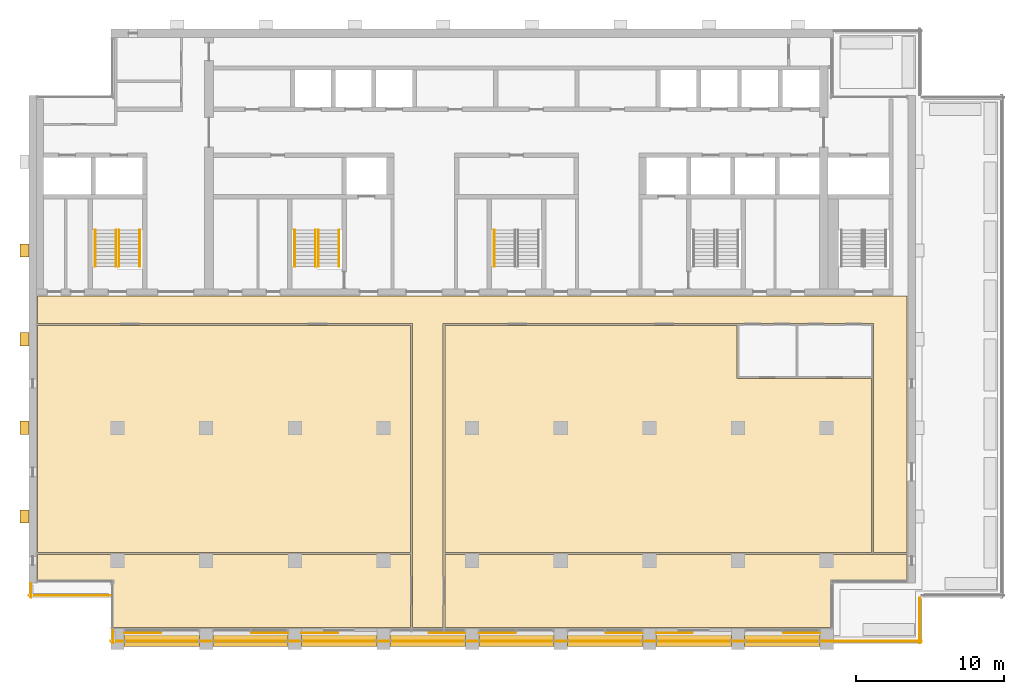
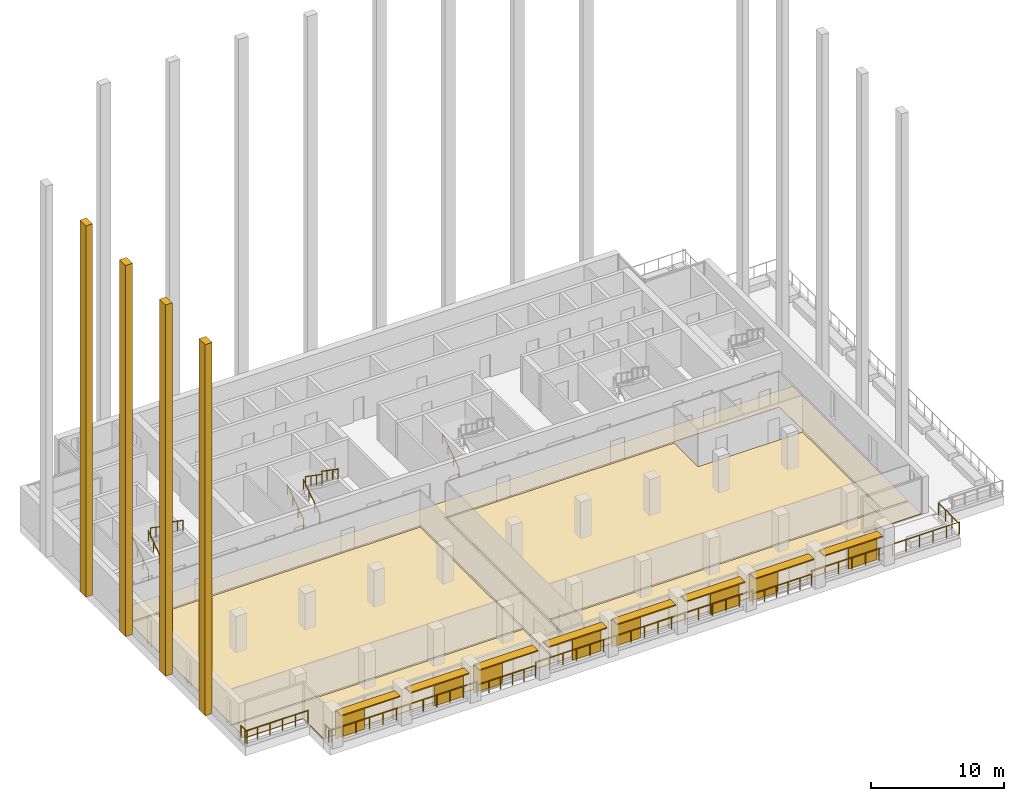
# One storey, part 14 of 16: 18 railings, 16 shading devices, 9 coverings, 3 elements without a shape of their own.
"""IFC4 building model written with IfcOpenShell, lengths in metres."""

import ifcopenshell
import ifcopenshell.guid

model = None  # the IFC model being written
_history = None  # IfcOwnerHistory: only IFC2X3 demands one
_inside = {}  # id of a spatial element -> (the spatial element, [elements in it])
_under = {}  # id of a project, library or spatial element -> (it, [spatial elements below it])
_declared = {}  # id of a project -> (the project, [libraries it declares])
_typed = {}  # id of a type object -> (the type object, [elements of that type])
_made_of = {}  # id of a material, layer set ... -> (it, [elements and type objects made of it])


def new_model(schema):
    """Start an empty IFC model of exactly this schema.

    Asked for "IFC4X3", IfcOpenShell would pick the latest addendum, in which some entities
    have other attributes; the version numbers below select the first issue.
    IFC2X3 requires an IfcOwnerHistory on every rooted entity: one is made here for all.
    """
    global model, _history
    if schema == "IFC4X3":
        model = ifcopenshell.file(schema_version=(4, 3, 0, 0))
    else:
        model = ifcopenshell.file(schema=schema)
    _inside.clear()
    _under.clear()
    _declared.clear()
    _typed.clear()
    _made_of.clear()
    _history = None
    if model.schema == "IFC2X3":
        org = make("IfcOrganization", Name="unknown")
        user = make(
            "IfcPersonAndOrganization",
            ThePerson=make("IfcPerson", FamilyName="unknown"),
            TheOrganization=org,
        )
        app = make(
            "IfcApplication",
            ApplicationDeveloper=org,
            Version="unknown",
            ApplicationFullName="unknown",
            ApplicationIdentifier="unknown",
        )
        _history = make(
            "IfcOwnerHistory",
            OwningUser=user,
            OwningApplication=app,
            ChangeAction="ADDED",
            CreationDate=0,
        )
    return model


def make(cls, **values):
    """One entity of the class cls with the attributes given. An attribute that is None is left unset."""
    return model.create_entity(
        cls, **{name: value for name, value in values.items() if value is not None}
    )


def rooted(cls, **values):
    """An entity with a GlobalId (a new one), such as an element, a storey or a relation."""
    return make(cls, GlobalId=ifcopenshell.guid.new(), OwnerHistory=_history, **values)


def si_unit(unit_type, name, prefix=None):
    """IfcSIUnit, for example si_unit("LENGTHUNIT", "METRE", prefix="MILLI")."""
    return make("IfcSIUnit", UnitType=unit_type, Prefix=prefix, Name=name)


def assignment(units):
    """IfcUnitAssignment: the units of a project."""
    return None if units is None else make("IfcUnitAssignment", Units=units)


def point(xyz):
    """IfcCartesianPoint."""
    return None if xyz is None else make("IfcCartesianPoint", Coordinates=xyz)


def direction(xyz):
    """IfcDirection."""
    return None if xyz is None else make("IfcDirection", DirectionRatios=xyz)


def frame(location, z_axis=None, x_axis=None):
    """IfcAxis2Placement3D, a coordinate frame: its origin and axes. An axis left out is left unset."""
    return make(
        "IfcAxis2Placement3D",
        Location=point(location),
        Axis=direction(z_axis),
        RefDirection=direction(x_axis),
    )


def frame_2d(location, x_axis=None):
    """IfcAxis2Placement2D, a coordinate frame in the plane: its origin and x axis."""
    return make(
        "IfcAxis2Placement2D", Location=point(location), RefDirection=direction(x_axis)
    )


def origin():
    """The frame at (0, 0, 0) with its axes left unset."""
    return frame((0.0, 0.0, 0.0))


def origin_2d():
    """The frame at (0, 0) in the plane with its x axis left unset."""
    return frame_2d((0.0, 0.0))


def place(relative_to, where):
    """IfcLocalPlacement: puts the frame where relative to a parent placement (None: the world)."""
    return make(
        "IfcLocalPlacement", PlacementRelTo=relative_to, RelativePlacement=where
    )


def context(
    kind, dimensions, precision=None, world=None, true_north=None, identifier=None
):
    """IfcGeometricRepresentationContext, for example the 3D "Model" context."""
    return make(
        "IfcGeometricRepresentationContext",
        ContextIdentifier=identifier,
        ContextType=kind,
        CoordinateSpaceDimension=dimensions,
        Precision=precision,
        WorldCoordinateSystem=world,
        TrueNorth=true_north,
    )


def subcontext(parent, identifier, kind, view, scale=None):
    """IfcGeometricRepresentationSubContext, for example "Body" below "Model"."""
    return make(
        "IfcGeometricRepresentationSubContext",
        ContextIdentifier=identifier,
        ContextType=kind,
        ParentContext=parent,
        TargetScale=scale,
        TargetView=view,
    )


def project(units=None, contexts=None):
    """IfcProject with its units and contexts."""
    return rooted(
        "IfcProject",
        Name="project",
        RepresentationContexts=contexts,
        UnitsInContext=assignment(units),
    )


def spatial(cls, under=None, at=None, **own):
    """A site, building, storey or space (cls), placed at a placement, below another one or the project."""
    s = rooted(cls, ObjectPlacement=at, **own)
    if under is not None:
        _under.setdefault(under.id(), (under, []))[1].append(s)
    return s


def polyline(points):
    """IfcPolyline through the points."""
    return make("IfcPolyline", Points=[point(p) for p in points])


def profile(cls, at=None, kind="AREA", **sizes):
    """A parametric profile (cls). Its sizes go by their IFC names, for example OverallWidth=200.0."""
    return make(cls, ProfileType=kind, Position=at, **sizes)


def rectangle(**sizes):
    """IfcRectangleProfileDef."""
    return profile("IfcRectangleProfileDef", **sizes)


def circle(**sizes):
    """IfcCircleProfileDef."""
    return profile("IfcCircleProfileDef", **sizes)


def outline(outer, holes=None, kind="AREA"):
    """IfcArbitraryClosedProfileDef: a profile drawn as a closed curve; with holes, ...WithVoids."""
    if holes is None:
        return make("IfcArbitraryClosedProfileDef", ProfileType=kind, OuterCurve=outer)
    return make(
        "IfcArbitraryProfileDefWithVoids",
        ProfileType=kind,
        OuterCurve=outer,
        InnerCurves=holes,
    )


def extrude(swept, where, along, depth):
    """IfcExtrudedAreaSolid: the profile swept, set in the frame where, extruded along a direction by depth."""
    return make(
        "IfcExtrudedAreaSolid",
        SweptArea=swept,
        Position=where,
        ExtrudedDirection=direction(along),
        Depth=depth,
    )


def shape(context_of_items, identifier, shape_type, items):
    """IfcShapeRepresentation: the items that make up one representation, for example the "Body"."""
    return make(
        "IfcShapeRepresentation",
        ContextOfItems=context_of_items,
        RepresentationIdentifier=identifier,
        RepresentationType=shape_type,
        Items=items,
    )


def material(Name=None, Category=None):
    """IfcMaterial."""
    return make("IfcMaterial", Name=Name, Category=Category)


def layer(
    of_material, thickness, ventilated=None, Name=None, Category=None, Priority=None
):
    """IfcMaterialLayer: one layer of a wall or slab, of a material (None: an air gap)."""
    return make(
        "IfcMaterialLayer",
        Material=of_material,
        LayerThickness=thickness,
        IsVentilated=ventilated,
        Name=Name,
        Category=Category,
        Priority=Priority,
    )


def layer_set(layers, Name=None):
    """IfcMaterialLayerSet."""
    return make("IfcMaterialLayerSet", MaterialLayers=layers, LayerSetName=Name)


def material_profile(
    of_material, cross_section, Name=None, Category=None, Priority=None
):
    """IfcMaterialProfile: a cross section and its material."""
    return make(
        "IfcMaterialProfile",
        Name=Name,
        Material=of_material,
        Profile=cross_section,
        Priority=Priority,
        Category=Category,
    )


def profile_set(profiles, Name=None, composite=None):
    """IfcMaterialProfileSet."""
    return make(
        "IfcMaterialProfileSet",
        Name=Name,
        MaterialProfiles=profiles,
        CompositeProfile=composite,
    )


def made_of(thing, what):
    """Note that an element or type object is made of a material, layer set ...; save() writes the relation."""
    if what is not None:
        _made_of.setdefault(what.id(), (what, []))[1].append(thing)
    return thing


def type_object(cls, material=None, **own):
    """A type object (cls), such as IfcWallType, which elements share."""
    return made_of(rooted(cls, **own), material)


def element(
    cls,
    number,
    at=None,
    inside=None,
    cuts=None,
    type_object=None,
    material=None,
    context=None,
    identifier="Body",
    shape_type=None,
    held_by="IfcProductDefinitionShape",
    body=None,
    shapes=None,
    **own,
):
    """One element of the class cls, such as IfcWall. Its Tag is "e" and its number.

    at: its placement. inside: the storey or other place that contains it. cuts: it is an
    opening in that element (IfcRelVoidsElement). A single representation is given by context,
    identifier, shape_type and body (its items); several are given by shapes. held_by: the class
    of the entity that holds the representations. save() writes the other relations.
    """
    e = rooted(cls, Tag="e%d" % number, ObjectPlacement=at, **own)
    if body is not None:
        shapes = [shape(context, identifier, shape_type, body)]
    if shapes is not None:
        e.Representation = make(held_by, Representations=shapes)
    if inside is not None:
        _inside.setdefault(inside.id(), (inside, []))[1].append(e)
    if cuts is not None:
        rooted(
            "IfcRelVoidsElement", RelatingBuildingElement=cuts, RelatedOpeningElement=e
        )
    if type_object is not None:
        _typed.setdefault(type_object.id(), (type_object, []))[1].append(e)
    return made_of(e, material)


def aggregate(whole, parts):
    """IfcRelAggregates: a whole, such as a stair, and the parts it consists of."""
    return rooted("IfcRelAggregates", RelatingObject=whole, RelatedObjects=parts)


def save(model, path):
    """Write the relations noted so far, then the file.

    IfcRelAggregates (storeys below a building ...), IfcRelContainedInSpatialStructure (elements
    in a storey), IfcRelDefinesByType, IfcRelAssociatesMaterial and IfcRelDeclares: one each for
    every whole, place, type object, material and project.
    """
    for whole, parts in _under.values():
        aggregate(whole, parts)
    for where, things in _inside.values():
        rooted(
            "IfcRelContainedInSpatialStructure",
            RelatedElements=things,
            RelatingStructure=where,
        )
    for kind, things in _typed.values():
        rooted("IfcRelDefinesByType", RelatedObjects=things, RelatingType=kind)
    for what, things in _made_of.values():
        rooted("IfcRelAssociatesMaterial", RelatedObjects=things, RelatingMaterial=what)
    for by, libraries in _declared.values():
        rooted("IfcRelDeclares", RelatingContext=by, RelatedDefinitions=libraries)
    model.write(path)


model = new_model("IFC4")

# Units and contexts
model_context = context("Model", 3, precision=1e-05, world=origin(), true_north=direction((0.0, 1.0)))
body_context = subcontext(model_context, "Body", "Model", "MODEL_VIEW")
ifc_project = project(units=[si_unit("LENGTHUNIT", "METRE"), si_unit("AREAUNIT", "SQUARE_METRE"), si_unit("VOLUMEUNIT", "CUBIC_METRE"), si_unit("PLANEANGLEUNIT", "RADIAN"), si_unit("MASSUNIT", "GRAM", prefix="KILO")], contexts=[model_context])

# Site, building, storey
site_placement = place(None, origin())
site = spatial("IfcSite", under=ifc_project, at=site_placement, CompositionType="ELEMENT")
building_placement = place(site_placement, origin())
building = spatial("IfcBuilding", under=site, at=building_placement, Name="Calvaro Tower", CompositionType="ELEMENT")
storey_placement = place(building_placement, frame((0.0, 0.0, 231.75)))
storey = spatial("IfcBuildingStorey", under=building, at=storey_placement, Name="L58", CompositionType="ELEMENT", Elevation=231.75)

# Shading devices
ifc_material_1 = material(Name="Anodised aluminium", Category="aluminium")
ifc_material_profile = material_profile(ifc_material_1, rectangle(XDim=0.800048828125, YDim=0.10009765625, at=origin_2d()), Name="Brise-soleil blade 800 x 100")
ifc_profile_set = profile_set([ifc_material_profile], Name="Anodised aluminium")
shading_device_type_1 = type_object("IfcShadingDeviceType", Name="Brise-soleil blade 800 x 100", PredefinedType="JALOUSIE", material=ifc_profile_set)
for number, where, z_axis, x_axis, name in (
    (1, (12.449951171875, 4.60009765625, 2.64990234375), (1.0, 0.0, 0.0), (0.0, 1.0, 0.0), "Brise-soleil blade 1"),
    (2, (18.449951171875, 4.60009765625, 2.64990234375), (1.0, 0.0, 0.0), (0.0, 1.0, 0.0), "Brise-soleil blade 2"),
    (3, (24.449951171875, 4.60009765625, 2.64990234375), (1.0, 0.0, 0.0), (0.0, 1.0, 0.0), "Brise-soleil blade 3"),
    (4, (30.449951171875, 4.60009765625, 2.64990234375), (1.0, 0.0, 0.0), (0.0, 1.0, 0.0), "Brise-soleil blade 4"),
    (5, (36.449951171875, 4.60009765625, 2.64990234375), (1.0, 0.0, 0.0), (0.0, 1.0, 0.0), "Brise-soleil blade 5"),
    (6, (42.449951171875, 4.60009765625, 2.64990234375), (1.0, 0.0, 0.0), (0.0, 1.0, 0.0), "Brise-soleil blade 6"),
    (7, (48.449951171875, 4.60009765625, 2.64990234375), (1.0, 0.0, 0.0), (0.0, 1.0, 0.0), "Brise-soleil blade 7"),
    (8, (54.449951171875, 4.60009765625, 2.64990234375), (1.0, 0.0, 0.0), (0.0, 1.0, 0.0), "Brise-soleil blade 8"),
):
    element("IfcShadingDevice", number, at=place(storey_placement, frame(where, z_axis=z_axis, x_axis=x_axis)), inside=storey, type_object=shading_device_type_1, Name=name, PredefinedType="JALOUSIE", context=body_context, shape_type="SweptSolid", body=[
        extrude(rectangle(XDim=0.800048828125, YDim=0.10009765625, at=origin_2d()), origin(), (0.0, 0.0, 1.0), 5.10009765625),
    ])

# Coverings
ifc_material_2 = material(Name="Cement screed with carpet tile finish")
ifc_layer_1 = layer(ifc_material_2, 0.050048828125)
ifc_layer_set_1 = layer_set([ifc_layer_1], Name="Cement screed with carpet tile finish")
covering_type_1 = type_object("IfcCoveringType", Name="Floor finish 50", PredefinedType="FLOORING", material=ifc_layer_set_1)
covering_1_placement = place(storey_placement, origin())
element("IfcCovering", 9, at=covering_1_placement, inside=storey, type_object=covering_type_1, Name="Floor finish 43.01", PredefinedType="FLOORING", context=body_context, shape_type="SweptSolid", body=[
    extrude(outline(polyline([(31.969970703125, 5.469970703125), (31.969970703125, 26.070068359375), (6.570068359375, 26.070068359375), (6.570068359375, 27.929931640625), (65.429931640625, 27.929931640625), (65.429931640625, 10.570068359375), (63.169921875, 10.570068359375), (63.169921875, 26.070068359375), (34.030029296875, 26.070068359375), (34.030029296875, 5.469970703125), (31.969970703125, 5.469970703125)])), origin(), (0.0, 0.0, 1.0), 0.050048828125),
])
covering_2_placement = place(storey_placement, origin())
element("IfcCovering", 10, at=covering_2_placement, inside=storey, type_object=covering_type_1, Name="Floor finish 43.05", PredefinedType="FLOORING", context=body_context, shape_type="SweptSolid", body=[
    extrude(outline(polyline([(31.830078125, 10.570068359375), (6.570068359375, 10.570068359375), (6.570068359375, 25.929931640625), (31.830078125, 25.929931640625), (31.830078125, 10.570068359375)])), origin(), (0.0, 0.0, 1.0), 0.050048828125),
])
covering_3_placement = place(storey_placement, origin())
element("IfcCovering", 11, at=covering_3_placement, inside=storey, type_object=covering_type_1, Name="Floor finish 43.04", PredefinedType="FLOORING", context=body_context, shape_type="SweptSolid", body=[
    extrude(outline(polyline([(34.169921875, 25.929931640625), (53.929931640625, 25.929931640625), (53.929931640625, 22.330078125), (63.030029296875, 22.330078125), (63.030029296875, 10.570068359375), (34.169921875, 10.570068359375), (34.169921875, 25.929931640625)])), origin(), (0.0, 0.0, 1.0), 0.050048828125),
])
covering_4_placement = place(storey_placement, origin())
element("IfcCovering", 12, at=covering_4_placement, inside=storey, type_object=covering_type_1, Name="Floor finish 43.02", PredefinedType="FLOORING", context=body_context, shape_type="SweptSolid", body=[
    extrude(outline(polyline([(11.6201171875, 8.570068359375), (6.570068359375, 8.570068359375), (6.570068359375, 10.429931640625), (31.830078125, 10.429931640625), (31.830078125, 5.469970703125), (11.6201171875, 5.469970703125), (11.6201171875, 8.570068359375)])), origin(), (0.0, 0.0, 1.0), 0.050048828125),
])
covering_5_placement = place(storey_placement, origin())
element("IfcCovering", 13, at=covering_5_placement, inside=storey, type_object=covering_type_1, Name="Floor finish 43.03", PredefinedType="FLOORING", context=body_context, shape_type="SweptSolid", body=[
    extrude(outline(polyline([(34.169921875, 5.469970703125), (34.169921875, 10.429931640625), (65.429931640625, 10.429931640625), (65.429931640625, 8.570068359375), (60.3798828125, 8.570068359375), (60.3798828125, 5.469970703125), (34.169921875, 5.469970703125)])), origin(), (0.0, 0.0, 1.0), 0.050048828125),
])

# Railings
ifc_material_3 = material(Name="Stainless steel", Category="steel")
railing_type_1 = type_object("IfcRailingType", Name="Guard 1100", PredefinedType="GUARDRAIL", material=ifc_material_3)
railing_1_placement = place(storey_placement, frame((11.530029296875, 7.64990234375, 0.300048828125)))
element("IfcRailing", 14, at=railing_1_placement, inside=storey, type_object=railing_type_1, Name="Terrace guard", PredefinedType="GUARDRAIL", context=body_context, shape_type="SweptSolid", body=[
    extrude(circle(Radius=0.02392578125, at=origin_2d()), frame((0.0, 0.0, 1.076171875), z_axis=(-1.0, 0.0, 0.0), x_axis=(0.0, -1.0, 0.0)), (0.0, 0.0, 1.0), 5.530029296875),
    extrude(circle(Radius=0.02099609375, at=origin_2d()), frame((-0.02099609375, 0.0, 0.0)), (0.0, 0.0, 1.0), 1.052001953125),
    extrude(circle(Radius=0.02099609375, at=origin_2d()), frame((-1.10595703125, 0.0, 0.0)), (0.0, 0.0, 1.0), 1.052001953125),
    extrude(circle(Radius=0.02099609375, at=origin_2d()), frame((-2.2119140625, 0.0, 0.0)), (0.0, 0.0, 1.0), 1.052001953125),
    extrude(circle(Radius=0.02099609375, at=origin_2d()), frame((-3.318115234375, 0.0, 0.0)), (0.0, 0.0, 1.0), 1.052001953125),
    extrude(circle(Radius=0.02099609375, at=origin_2d()), frame((-4.424072265625, 0.0, 0.0)), (0.0, 0.0, 1.0), 1.052001953125),
    extrude(circle(Radius=0.02099609375, at=origin_2d()), frame((-5.509033203125, 0.0, 0.0)), (0.0, 0.0, 1.0), 1.052001953125),
])
for number, where, name in (
    (15, (6.14990234375, 7.5, 0.300048828125), "Terrace guard"),
    (16, (11.699951171875, 4.39990234375, 0.300048828125), "Terrace guard"),
):
    element("IfcRailing", number, at=place(storey_placement, frame(where)), inside=storey, type_object=railing_type_1, Name=name, PredefinedType="GUARDRAIL", context=body_context, shape_type="SweptSolid", body=[
        extrude(circle(Radius=0.02392578125, at=origin_2d()), frame((0.0, 0.0, 1.076171875), z_axis=(0.0, 1.0, 0.0), x_axis=(-1.0, 0.0, 0.0)), (0.0, 0.0, 1.0), 0.97998046875),
        extrude(circle(Radius=0.02099609375, at=origin_2d()), frame((0.0, 0.02099609375, 0.0)), (0.0, 0.0, 1.0), 1.052001953125),
        extrude(circle(Radius=0.02099609375, at=origin_2d()), frame((0.0, 0.958984375, 0.0)), (0.0, 0.0, 1.0), 1.052001953125),
    ])
railing_2_placement = place(storey_placement, frame((66.300048828125, 7.5, 0.300048828125)))
element("IfcRailing", 17, at=railing_2_placement, inside=storey, type_object=railing_type_1, Name="Terrace guard", PredefinedType="GUARDRAIL", context=body_context, shape_type="SweptSolid", body=[
    extrude(circle(Radius=0.02392578125, at=origin_2d()), frame((0.0, 0.0, 1.076171875), z_axis=(0.0, -1.0, 0.0), x_axis=(1.0, 0.0, 0.0)), (0.0, 0.0, 1.0), 3.10009765625),
    extrude(circle(Radius=0.02099609375, at=origin_2d()), frame((0.0, -0.02099609375, 0.0)), (0.0, 0.0, 1.0), 1.052001953125),
    extrude(circle(Radius=0.02099609375, at=origin_2d()), frame((0.0, -1.033447265625, 0.0)), (0.0, 0.0, 1.0), 1.052001953125),
    extrude(circle(Radius=0.02099609375, at=origin_2d()), frame((0.0, -2.066650390625, 0.0)), (0.0, 0.0, 1.0), 1.052001953125),
    extrude(circle(Radius=0.02099609375, at=origin_2d()), frame((0.0, -3.0791015625, 0.0)), (0.0, 0.0, 1.0), 1.052001953125),
])
railing_3_placement = place(storey_placement, frame((11.550048828125, 4.550048828125, 0.300048828125)))
element("IfcRailing", 18, at=railing_3_placement, inside=storey, type_object=railing_type_1, Name="Terrace guard", PredefinedType="GUARDRAIL", context=body_context, shape_type="SweptSolid", body=[
    extrude(circle(Radius=0.02392578125, at=origin_2d()), frame((0.0, 0.0, 1.076171875), z_axis=(1.0, 0.0, 0.0), x_axis=(0.0, 1.0, 0.0)), (0.0, 0.0, 1.0), 12.89990234375),
    extrude(circle(Radius=0.02099609375, at=origin_2d()), frame((0.02099609375, 0.0, 0.0)), (0.0, 0.0, 1.0), 1.052001953125),
    extrude(circle(Radius=0.02099609375, at=origin_2d()), frame((1.172607421875, 0.0, 0.0)), (0.0, 0.0, 1.0), 1.052001953125),
    extrude(circle(Radius=0.02099609375, at=origin_2d()), frame((2.345458984375, 0.0, 0.0)), (0.0, 0.0, 1.0), 1.052001953125),
    extrude(circle(Radius=0.02099609375, at=origin_2d()), frame((3.51806640625, 0.0, 0.0)), (0.0, 0.0, 1.0), 1.052001953125),
    extrude(circle(Radius=0.02099609375, at=origin_2d()), frame((4.69091796875, 0.0, 0.0)), (0.0, 0.0, 1.0), 1.052001953125),
    extrude(circle(Radius=0.02099609375, at=origin_2d()), frame((5.863525390625, 0.0, 0.0)), (0.0, 0.0, 1.0), 1.052001953125),
    extrude(circle(Radius=0.02099609375, at=origin_2d()), frame((7.036376953125, 0.0, 0.0)), (0.0, 0.0, 1.0), 1.052001953125),
    extrude(circle(Radius=0.02099609375, at=origin_2d()), frame((8.208984375, 0.0, 0.0)), (0.0, 0.0, 1.0), 1.052001953125),
    extrude(circle(Radius=0.02099609375, at=origin_2d()), frame((9.3818359375, 0.0, 0.0)), (0.0, 0.0, 1.0), 1.052001953125),
    extrude(circle(Radius=0.02099609375, at=origin_2d()), frame((10.554443359375, 0.0, 0.0)), (0.0, 0.0, 1.0), 1.052001953125),
    extrude(circle(Radius=0.02099609375, at=origin_2d()), frame((11.727294921875, 0.0, 0.0)), (0.0, 0.0, 1.0), 1.052001953125),
    extrude(circle(Radius=0.02099609375, at=origin_2d()), frame((12.87890625, 0.0, 0.0)), (0.0, 0.0, 1.0), 1.052001953125),
])
railing_4_placement = place(storey_placement, frame((24.449951171875, 4.550048828125, 0.0)))
element("IfcRailing", 19, at=railing_4_placement, inside=storey, type_object=railing_type_1, Name="Terrace guard", PredefinedType="GUARDRAIL", context=body_context, shape_type="SweptSolid", body=[
    extrude(circle(Radius=0.02392578125, at=origin_2d()), frame((0.0, 0.0, 1.076171875), z_axis=(1.0, 0.0, 0.0), x_axis=(0.0, 1.0, 0.0)), (0.0, 0.0, 1.0), 5.10009765625),
    extrude(circle(Radius=0.02099609375, at=origin_2d()), frame((0.02099609375, 0.0, 0.0)), (0.0, 0.0, 1.0), 1.052001953125),
    extrude(circle(Radius=0.02099609375, at=origin_2d()), frame((1.02001953125, 0.0, 0.0)), (0.0, 0.0, 1.0), 1.052001953125),
    extrude(circle(Radius=0.02099609375, at=origin_2d()), frame((2.0400390625, 0.0, 0.0)), (0.0, 0.0, 1.0), 1.052001953125),
    extrude(circle(Radius=0.02099609375, at=origin_2d()), frame((3.06005859375, 0.0, 0.0)), (0.0, 0.0, 1.0), 1.052001953125),
    extrude(circle(Radius=0.02099609375, at=origin_2d()), frame((4.080078125, 0.0, 0.0)), (0.0, 0.0, 1.0), 1.052001953125),
    extrude(circle(Radius=0.02099609375, at=origin_2d()), frame((5.0791015625, 0.0, 0.0)), (0.0, 0.0, 1.0), 1.052001953125),
])
railing_5_placement = place(storey_placement, frame((29.550048828125, 4.550048828125, 0.300048828125)))
element("IfcRailing", 20, at=railing_5_placement, inside=storey, type_object=railing_type_1, Name="Terrace guard", PredefinedType="GUARDRAIL", context=body_context, shape_type="SweptSolid", body=[
    extrude(circle(Radius=0.02392578125, at=origin_2d()), frame((0.0, 0.0, 1.076171875), z_axis=(1.0, 0.0, 0.0), x_axis=(0.0, 1.0, 0.0)), (0.0, 0.0, 1.0), 18.89990234375),
    extrude(circle(Radius=0.02099609375, at=origin_2d()), frame((0.02099609375, 0.0, 0.0)), (0.0, 0.0, 1.0), 1.052001953125),
    extrude(circle(Radius=0.02099609375, at=origin_2d()), frame((1.18115234375, 0.0, 0.0)), (0.0, 0.0, 1.0), 1.052001953125),
    extrude(circle(Radius=0.02099609375, at=origin_2d()), frame((2.362548828125, 0.0, 0.0)), (0.0, 0.0, 1.0), 1.052001953125),
    extrude(circle(Radius=0.02099609375, at=origin_2d()), frame((3.543701171875, 0.0, 0.0)), (0.0, 0.0, 1.0), 1.052001953125),
    extrude(circle(Radius=0.02099609375, at=origin_2d()), frame((4.72509765625, 0.0, 0.0)), (0.0, 0.0, 1.0), 1.052001953125),
    extrude(circle(Radius=0.02099609375, at=origin_2d()), frame((5.90625, 0.0, 0.0)), (0.0, 0.0, 1.0), 1.052001953125),
    extrude(circle(Radius=0.02099609375, at=origin_2d()), frame((7.08740234375, 0.0, 0.0)), (0.0, 0.0, 1.0), 1.052001953125),
    extrude(circle(Radius=0.02099609375, at=origin_2d()), frame((8.268798828125, 0.0, 0.0)), (0.0, 0.0, 1.0), 1.052001953125),
    extrude(circle(Radius=0.02099609375, at=origin_2d()), frame((9.449951171875, 0.0, 0.0)), (0.0, 0.0, 1.0), 1.052001953125),
    extrude(circle(Radius=0.02099609375, at=origin_2d()), frame((10.631103515625, 0.0, 0.0)), (0.0, 0.0, 1.0), 1.052001953125),
    extrude(circle(Radius=0.02099609375, at=origin_2d()), frame((11.8125, 0.0, 0.0)), (0.0, 0.0, 1.0), 1.052001953125),
    extrude(circle(Radius=0.02099609375, at=origin_2d()), frame((12.99365234375, 0.0, 0.0)), (0.0, 0.0, 1.0), 1.052001953125),
    extrude(circle(Radius=0.02099609375, at=origin_2d()), frame((14.1748046875, 0.0, 0.0)), (0.0, 0.0, 1.0), 1.052001953125),
    extrude(circle(Radius=0.02099609375, at=origin_2d()), frame((15.356201171875, 0.0, 0.0)), (0.0, 0.0, 1.0), 1.052001953125),
    extrude(circle(Radius=0.02099609375, at=origin_2d()), frame((16.537353515625, 0.0, 0.0)), (0.0, 0.0, 1.0), 1.052001953125),
    extrude(circle(Radius=0.02099609375, at=origin_2d()), frame((17.71875, 0.0, 0.0)), (0.0, 0.0, 1.0), 1.052001953125),
    extrude(circle(Radius=0.02099609375, at=origin_2d()), frame((18.87890625, 0.0, 0.0)), (0.0, 0.0, 1.0), 1.052001953125),
])
railing_6_placement = place(storey_placement, frame((48.449951171875, 4.550048828125, 0.0)))
element("IfcRailing", 21, at=railing_6_placement, inside=storey, type_object=railing_type_1, Name="Terrace guard", PredefinedType="GUARDRAIL", context=body_context, shape_type="SweptSolid", body=[
    extrude(circle(Radius=0.02392578125, at=origin_2d()), frame((0.0, 0.0, 1.076171875), z_axis=(1.0, 0.0, 0.0), x_axis=(0.0, 1.0, 0.0)), (0.0, 0.0, 1.0), 5.10009765625),
    extrude(circle(Radius=0.02099609375, at=origin_2d()), frame((0.02099609375, 0.0, 0.0)), (0.0, 0.0, 1.0), 1.052001953125),
    extrude(circle(Radius=0.02099609375, at=origin_2d()), frame((1.02001953125, 0.0, 0.0)), (0.0, 0.0, 1.0), 1.052001953125),
    extrude(circle(Radius=0.02099609375, at=origin_2d()), frame((2.0400390625, 0.0, 0.0)), (0.0, 0.0, 1.0), 1.052001953125),
    extrude(circle(Radius=0.02099609375, at=origin_2d()), frame((3.06005859375, 0.0, 0.0)), (0.0, 0.0, 1.0), 1.052001953125),
    extrude(circle(Radius=0.02099609375, at=origin_2d()), frame((4.080078125, 0.0, 0.0)), (0.0, 0.0, 1.0), 1.052001953125),
    extrude(circle(Radius=0.02099609375, at=origin_2d()), frame((5.0791015625, 0.0, 0.0)), (0.0, 0.0, 1.0), 1.052001953125),
])
railing_7_placement = place(storey_placement, frame((53.550048828125, 4.550048828125, 0.300048828125)))
element("IfcRailing", 22, at=railing_7_placement, inside=storey, type_object=railing_type_1, Name="Terrace guard", PredefinedType="GUARDRAIL", context=body_context, shape_type="SweptSolid", body=[
    extrude(circle(Radius=0.02392578125, at=origin_2d()), frame((0.0, 0.0, 1.076171875), z_axis=(1.0, 0.0, 0.0), x_axis=(0.0, 1.0, 0.0)), (0.0, 0.0, 1.0), 12.89990234375),
    extrude(circle(Radius=0.02099609375, at=origin_2d()), frame((0.02099609375, 0.0, 0.0)), (0.0, 0.0, 1.0), 1.052001953125),
    extrude(circle(Radius=0.02099609375, at=origin_2d()), frame((1.172607421875, 0.0, 0.0)), (0.0, 0.0, 1.0), 1.052001953125),
    extrude(circle(Radius=0.02099609375, at=origin_2d()), frame((2.345458984375, 0.0, 0.0)), (0.0, 0.0, 1.0), 1.052001953125),
    extrude(circle(Radius=0.02099609375, at=origin_2d()), frame((3.51806640625, 0.0, 0.0)), (0.0, 0.0, 1.0), 1.052001953125),
    extrude(circle(Radius=0.02099609375, at=origin_2d()), frame((4.69091796875, 0.0, 0.0)), (0.0, 0.0, 1.0), 1.052001953125),
    extrude(circle(Radius=0.02099609375, at=origin_2d()), frame((5.863525390625, 0.0, 0.0)), (0.0, 0.0, 1.0), 1.052001953125),
    extrude(circle(Radius=0.02099609375, at=origin_2d()), frame((7.036376953125, 0.0, 0.0)), (0.0, 0.0, 1.0), 1.052001953125),
    extrude(circle(Radius=0.02099609375, at=origin_2d()), frame((8.208984375, 0.0, 0.0)), (0.0, 0.0, 1.0), 1.052001953125),
    extrude(circle(Radius=0.02099609375, at=origin_2d()), frame((9.3818359375, 0.0, 0.0)), (0.0, 0.0, 1.0), 1.052001953125),
    extrude(circle(Radius=0.02099609375, at=origin_2d()), frame((10.554443359375, 0.0, 0.0)), (0.0, 0.0, 1.0), 1.052001953125),
    extrude(circle(Radius=0.02099609375, at=origin_2d()), frame((11.727294921875, 0.0, 0.0)), (0.0, 0.0, 1.0), 1.052001953125),
    extrude(circle(Radius=0.02099609375, at=origin_2d()), frame((12.87890625, 0.0, 0.0)), (0.0, 0.0, 1.0), 1.052001953125),
])

# Shading devices
ifc_material_4 = material(Name="Ceramic")
ifc_layer_2 = layer(ifc_material_4, 0.0400390625)
ifc_layer_set_2 = layer_set([ifc_layer_2], Name="Ceramic")
shading_device_type_2 = type_object("IfcShadingDeviceType", Name="Sliding ceramic screen 2500", PredefinedType="SHUTTER", material=ifc_layer_set_2)
for number, where, z_axis, x_axis, name in (
    (23, (13.699951171875, 5.10009765625, 0.0), (0.0, 0.0, 1.0), (1.0, 0.0, 0.0), "Sliding screen 1"),
    (24, (22.300048828125, 5.10009765625, 0.0), (0.0, 0.0, 1.0), (1.0, 0.0, 0.0), "Sliding screen 2"),
    (25, (25.699951171875, 5.10009765625, 0.0), (0.0, 0.0, 1.0), (1.0, 0.0, 0.0), "Sliding screen 3"),
    (26, (34.300048828125, 5.10009765625, 0.0), (0.0, 0.0, 1.0), (1.0, 0.0, 0.0), "Sliding screen 4"),
    (27, (37.699951171875, 5.10009765625, 0.0), (0.0, 0.0, 1.0), (1.0, 0.0, 0.0), "Sliding screen 5"),
    (28, (46.300048828125, 5.10009765625, 0.0), (0.0, 0.0, 1.0), (1.0, 0.0, 0.0), "Sliding screen 6"),
    (29, (49.699951171875, 5.10009765625, 0.0), (0.0, 0.0, 1.0), (1.0, 0.0, 0.0), "Sliding screen 7"),
    (30, (58.300048828125, 5.10009765625, 0.0), (0.0, 0.0, 1.0), (1.0, 0.0, 0.0), "Sliding screen 8"),
):
    element("IfcShadingDevice", number, at=place(storey_placement, frame(where, z_axis=z_axis, x_axis=x_axis)), inside=storey, type_object=shading_device_type_2, Name=name, PredefinedType="SHUTTER", context=body_context, shape_type="SweptSolid", body=[
        extrude(rectangle(XDim=2.5, YDim=0.0400390625, at=origin_2d()), origin(), (0.0, 0.0, 1.0), 2.60009765625),
    ])

# Stair, railings
ifc_material_5 = material(Name="Concrete C40/50", Category="concrete")
stair_type = type_object("IfcStairType", Name="Exit stair 1400 2 flights", PredefinedType="HALF_TURN_STAIR", material=ifc_material_5)
stair_1_placement = place(storey_placement, origin())
stair_1 = element("IfcStair", 31, at=stair_1_placement, inside=storey, type_object=stair_type, Name="Exit stair S1", PredefinedType="HALF_TURN_STAIR")
ifc_material_6 = material(Name="Stainless steel", Category="steel")
railing_type_2 = type_object("IfcRailingType", Name="Stair handrail", PredefinedType="HANDRAIL", material=ifc_material_6)
railing_8_placement = place(storey_placement, frame((11.89990234375, 29.89990234375, 0.172607421875)))
railing_8 = element("IfcRailing", 32, at=railing_8_placement, type_object=railing_type_2, Name="Exit stair 1 handrail", PredefinedType="HANDRAIL", context=body_context, shape_type="SweptSolid", body=[
    extrude(circle(Radius=0.02392578125, at=origin_2d()), frame((0.0, 0.0, 0.8759765625), z_axis=(0.0, 0.822726922227, 0.568436813941), x_axis=(-1.0, 0.0, 0.0)), (0.0, 0.0, 1.0), 3.03857421875),
    extrude(circle(Radius=0.02099609375, at=origin_2d()), frame((0.0, 0.017333984375, 0.011962890625)), (0.0, 0.0, 1.0), 0.851806640625),
    extrude(circle(Radius=0.02099609375, at=origin_2d()), frame((0.0, 0.833251953125, 0.57568359375)), (0.0, 0.0, 1.0), 0.851806640625),
    extrude(circle(Radius=0.02099609375, at=origin_2d()), frame((0.0, 1.666748046875, 1.151611328125)), (0.0, 0.0, 1.0), 0.851806640625),
    extrude(circle(Radius=0.02099609375, at=origin_2d()), frame((0.0, 2.482666015625, 1.71533203125)), (0.0, 0.0, 1.0), 0.851806640625),
])
railing_9_placement = place(storey_placement, frame((10.5, 29.89990234375, 0.172607421875)))
railing_9 = element("IfcRailing", 33, at=railing_9_placement, type_object=railing_type_2, Name="Exit stair 1 handrail", PredefinedType="HANDRAIL", context=body_context, shape_type="SweptSolid", body=[
    extrude(circle(Radius=0.02392578125, at=origin_2d()), frame((0.0, 0.0, 0.8759765625), z_axis=(0.0, 0.822726922227, 0.568436813941), x_axis=(-1.0, 0.0, 0.0)), (0.0, 0.0, 1.0), 3.03857421875),
    extrude(circle(Radius=0.02099609375, at=origin_2d()), frame((0.0, 0.017333984375, 0.011962890625)), (0.0, 0.0, 1.0), 0.851806640625),
    extrude(circle(Radius=0.02099609375, at=origin_2d()), frame((0.0, 0.833251953125, 0.57568359375)), (0.0, 0.0, 1.0), 0.851806640625),
    extrude(circle(Radius=0.02099609375, at=origin_2d()), frame((0.0, 1.666748046875, 1.151611328125)), (0.0, 0.0, 1.0), 0.851806640625),
    extrude(circle(Radius=0.02099609375, at=origin_2d()), frame((0.0, 2.482666015625, 1.71533203125)), (0.0, 0.0, 1.0), 0.851806640625),
])
railing_10_placement = place(storey_placement, frame((12.10009765625, 32.39990234375, 2.07275390625)))
railing_10 = element("IfcRailing", 34, at=railing_10_placement, type_object=railing_type_2, Name="Exit stair 1 handrail", PredefinedType="HANDRAIL", context=body_context, shape_type="SweptSolid", body=[
    extrude(circle(Radius=0.02392578125, at=origin_2d()), frame((0.0, 0.0, 0.8759765625), z_axis=(0.0, -0.822726922227, 0.568436813941), x_axis=(1.0, 0.0, 0.0)), (0.0, 0.0, 1.0), 3.03857421875),
    extrude(circle(Radius=0.02099609375, at=origin_2d()), frame((0.0, -0.017333984375, 0.011962890625)), (0.0, 0.0, 1.0), 0.851806640625),
    extrude(circle(Radius=0.02099609375, at=origin_2d()), frame((0.0, -0.833251953125, 0.57568359375)), (0.0, 0.0, 1.0), 0.851806640625),
    extrude(circle(Radius=0.02099609375, at=origin_2d()), frame((0.0, -1.666748046875, 1.151611328125)), (0.0, 0.0, 1.0), 0.851806640625),
    extrude(circle(Radius=0.02099609375, at=origin_2d()), frame((0.0, -2.482666015625, 1.71533203125)), (0.0, 0.0, 1.0), 0.851806640625),
])
railing_11_placement = place(storey_placement, frame((13.5, 32.39990234375, 2.07275390625)))
railing_11 = element("IfcRailing", 35, at=railing_11_placement, type_object=railing_type_2, Name="Exit stair 1 handrail", PredefinedType="HANDRAIL", context=body_context, shape_type="SweptSolid", body=[
    extrude(circle(Radius=0.02392578125, at=origin_2d()), frame((0.0, 0.0, 0.8759765625), z_axis=(0.0, -0.822726922227, 0.568436813941), x_axis=(1.0, 0.0, 0.0)), (0.0, 0.0, 1.0), 3.03857421875),
    extrude(circle(Radius=0.02099609375, at=origin_2d()), frame((0.0, -0.017333984375, 0.011962890625)), (0.0, 0.0, 1.0), 0.851806640625),
    extrude(circle(Radius=0.02099609375, at=origin_2d()), frame((0.0, -0.833251953125, 0.57568359375)), (0.0, 0.0, 1.0), 0.851806640625),
    extrude(circle(Radius=0.02099609375, at=origin_2d()), frame((0.0, -1.666748046875, 1.151611328125)), (0.0, 0.0, 1.0), 0.851806640625),
    extrude(circle(Radius=0.02099609375, at=origin_2d()), frame((0.0, -2.482666015625, 1.71533203125)), (0.0, 0.0, 1.0), 0.851806640625),
])
aggregate(stair_1, [railing_8, railing_9, railing_10, railing_11])

stair_2_placement = place(storey_placement, origin())
stair_2 = element("IfcStair", 36, at=stair_2_placement, inside=storey, type_object=stair_type, Name="Exit stair S2", PredefinedType="HALF_TURN_STAIR")
railing_12_placement = place(storey_placement, frame((25.39990234375, 29.89990234375, 0.172607421875)))
railing_12 = element("IfcRailing", 37, at=railing_12_placement, type_object=railing_type_2, Name="Exit stair 2 handrail", PredefinedType="HANDRAIL", context=body_context, shape_type="SweptSolid", body=[
    extrude(circle(Radius=0.02392578125, at=origin_2d()), frame((0.0, 0.0, 0.8759765625), z_axis=(0.0, 0.822726922227, 0.568436813941), x_axis=(-1.0, 0.0, 0.0)), (0.0, 0.0, 1.0), 3.03857421875),
    extrude(circle(Radius=0.02099609375, at=origin_2d()), frame((0.0, 0.017333984375, 0.011962890625)), (0.0, 0.0, 1.0), 0.851806640625),
    extrude(circle(Radius=0.02099609375, at=origin_2d()), frame((0.0, 0.833251953125, 0.57568359375)), (0.0, 0.0, 1.0), 0.851806640625),
    extrude(circle(Radius=0.02099609375, at=origin_2d()), frame((0.0, 1.666748046875, 1.151611328125)), (0.0, 0.0, 1.0), 0.851806640625),
    extrude(circle(Radius=0.02099609375, at=origin_2d()), frame((0.0, 2.482666015625, 1.71533203125)), (0.0, 0.0, 1.0), 0.851806640625),
])
railing_13_placement = place(storey_placement, frame((24.0, 29.89990234375, 0.172607421875)))
railing_13 = element("IfcRailing", 38, at=railing_13_placement, type_object=railing_type_2, Name="Exit stair 2 handrail", PredefinedType="HANDRAIL", context=body_context, shape_type="SweptSolid", body=[
    extrude(circle(Radius=0.02392578125, at=origin_2d()), frame((0.0, 0.0, 0.8759765625), z_axis=(0.0, 0.822726922227, 0.568436813941), x_axis=(-1.0, 0.0, 0.0)), (0.0, 0.0, 1.0), 3.03857421875),
    extrude(circle(Radius=0.02099609375, at=origin_2d()), frame((0.0, 0.017333984375, 0.011962890625)), (0.0, 0.0, 1.0), 0.851806640625),
    extrude(circle(Radius=0.02099609375, at=origin_2d()), frame((0.0, 0.833251953125, 0.57568359375)), (0.0, 0.0, 1.0), 0.851806640625),
    extrude(circle(Radius=0.02099609375, at=origin_2d()), frame((0.0, 1.666748046875, 1.151611328125)), (0.0, 0.0, 1.0), 0.851806640625),
    extrude(circle(Radius=0.02099609375, at=origin_2d()), frame((0.0, 2.482666015625, 1.71533203125)), (0.0, 0.0, 1.0), 0.851806640625),
])
railing_14_placement = place(storey_placement, frame((25.60009765625, 32.39990234375, 2.07275390625)))
railing_14 = element("IfcRailing", 39, at=railing_14_placement, type_object=railing_type_2, Name="Exit stair 2 handrail", PredefinedType="HANDRAIL", context=body_context, shape_type="SweptSolid", body=[
    extrude(circle(Radius=0.02392578125, at=origin_2d()), frame((0.0, 0.0, 0.8759765625), z_axis=(0.0, -0.822726922227, 0.568436813941), x_axis=(1.0, 0.0, 0.0)), (0.0, 0.0, 1.0), 3.03857421875),
    extrude(circle(Radius=0.02099609375, at=origin_2d()), frame((0.0, -0.017333984375, 0.011962890625)), (0.0, 0.0, 1.0), 0.851806640625),
    extrude(circle(Radius=0.02099609375, at=origin_2d()), frame((0.0, -0.833251953125, 0.57568359375)), (0.0, 0.0, 1.0), 0.851806640625),
    extrude(circle(Radius=0.02099609375, at=origin_2d()), frame((0.0, -1.666748046875, 1.151611328125)), (0.0, 0.0, 1.0), 0.851806640625),
    extrude(circle(Radius=0.02099609375, at=origin_2d()), frame((0.0, -2.482666015625, 1.71533203125)), (0.0, 0.0, 1.0), 0.851806640625),
])
railing_15_placement = place(storey_placement, frame((27.0, 32.39990234375, 2.07275390625)))
railing_15 = element("IfcRailing", 40, at=railing_15_placement, type_object=railing_type_2, Name="Exit stair 2 handrail", PredefinedType="HANDRAIL", context=body_context, shape_type="SweptSolid", body=[
    extrude(circle(Radius=0.02392578125, at=origin_2d()), frame((0.0, 0.0, 0.8759765625), z_axis=(0.0, -0.822726922227, 0.568436813941), x_axis=(1.0, 0.0, 0.0)), (0.0, 0.0, 1.0), 3.03857421875),
    extrude(circle(Radius=0.02099609375, at=origin_2d()), frame((0.0, -0.017333984375, 0.011962890625)), (0.0, 0.0, 1.0), 0.851806640625),
    extrude(circle(Radius=0.02099609375, at=origin_2d()), frame((0.0, -0.833251953125, 0.57568359375)), (0.0, 0.0, 1.0), 0.851806640625),
    extrude(circle(Radius=0.02099609375, at=origin_2d()), frame((0.0, -1.666748046875, 1.151611328125)), (0.0, 0.0, 1.0), 0.851806640625),
    extrude(circle(Radius=0.02099609375, at=origin_2d()), frame((0.0, -2.482666015625, 1.71533203125)), (0.0, 0.0, 1.0), 0.851806640625),
])
aggregate(stair_2, [railing_12, railing_13, railing_14, railing_15])

# Stair, railing
stair_3_placement = place(storey_placement, origin())
stair_3 = element("IfcStair", 41, at=stair_3_placement, inside=storey, type_object=stair_type, Name="Exit stair S3", PredefinedType="HALF_TURN_STAIR")
railing_16_placement = place(storey_placement, frame((37.5, 29.89990234375, 0.172607421875)))
railing_16 = element("IfcRailing", 42, at=railing_16_placement, type_object=railing_type_2, Name="Exit stair 3 handrail", PredefinedType="HANDRAIL", context=body_context, shape_type="SweptSolid", body=[
    extrude(circle(Radius=0.02392578125, at=origin_2d()), frame((0.0, 0.0, 0.8759765625), z_axis=(0.0, 0.822726922227, 0.568436813941), x_axis=(-1.0, 0.0, 0.0)), (0.0, 0.0, 1.0), 3.03857421875),
    extrude(circle(Radius=0.02099609375, at=origin_2d()), frame((0.0, 0.017333984375, 0.011962890625)), (0.0, 0.0, 1.0), 0.851806640625),
    extrude(circle(Radius=0.02099609375, at=origin_2d()), frame((0.0, 0.833251953125, 0.57568359375)), (0.0, 0.0, 1.0), 0.851806640625),
    extrude(circle(Radius=0.02099609375, at=origin_2d()), frame((0.0, 1.666748046875, 1.151611328125)), (0.0, 0.0, 1.0), 0.851806640625),
    extrude(circle(Radius=0.02099609375, at=origin_2d()), frame((0.0, 2.482666015625, 1.71533203125)), (0.0, 0.0, 1.0), 0.851806640625),
])
aggregate(stair_3, [railing_16])

# Coverings
ifc_material_7 = material(Name="Reconstituted stone", Category="masonry")
ifc_layer_3 = layer(ifc_material_7, 0.60009765625)
ifc_layer_set_3 = layer_set([ifc_layer_3], Name="Reconstituted stone")
covering_type_2 = type_object("IfcCoveringType", Name="Stone pilaster 900 x 600", PredefinedType="CLADDING", material=ifc_layer_set_3)
covering_6_placement = place(storey_placement, frame((0.0, 0.0, 0.050048828125)))
element("IfcCovering", 43, at=covering_6_placement, inside=storey, type_object=covering_type_2, Name="Stone pilaster", PredefinedType="CLADDING", context=body_context, shape_type="SweptSolid", body=[
    extrude(outline(polyline([(5.39990234375, 12.550048828125), (6.0, 12.550048828125), (6.0, 13.449951171875), (5.39990234375, 13.449951171875), (5.39990234375, 12.550048828125)])), origin(), (0.0, 0.0, 1.0), 34.14990234375),
])
covering_7_placement = place(storey_placement, frame((0.0, 0.0, 0.050048828125)))
element("IfcCovering", 44, at=covering_7_placement, inside=storey, type_object=covering_type_2, Name="Stone pilaster", PredefinedType="CLADDING", context=body_context, shape_type="SweptSolid", body=[
    extrude(outline(polyline([(5.39990234375, 18.550048828125), (6.0, 18.550048828125), (6.0, 19.449951171875), (5.39990234375, 19.449951171875), (5.39990234375, 18.550048828125)])), origin(), (0.0, 0.0, 1.0), 34.14990234375),
])
covering_8_placement = place(storey_placement, frame((0.0, 0.0, 0.050048828125)))
element("IfcCovering", 45, at=covering_8_placement, inside=storey, type_object=covering_type_2, Name="Stone pilaster", PredefinedType="CLADDING", context=body_context, shape_type="SweptSolid", body=[
    extrude(outline(polyline([(5.39990234375, 24.550048828125), (6.0, 24.550048828125), (6.0, 25.449951171875), (5.39990234375, 25.449951171875), (5.39990234375, 24.550048828125)])), origin(), (0.0, 0.0, 1.0), 34.14990234375),
])
covering_9_placement = place(storey_placement, frame((0.0, 0.0, 0.050048828125)))
element("IfcCovering", 46, at=covering_9_placement, inside=storey, type_object=covering_type_2, Name="Stone pilaster", PredefinedType="CLADDING", context=body_context, shape_type="SweptSolid", body=[
    extrude(outline(polyline([(5.39990234375, 30.550048828125), (6.0, 30.550048828125), (6.0, 31.449951171875), (5.39990234375, 31.449951171875), (5.39990234375, 30.550048828125)])), origin(), (0.0, 0.0, 1.0), 34.14990234375),
])

save(model, "model.ifc")
